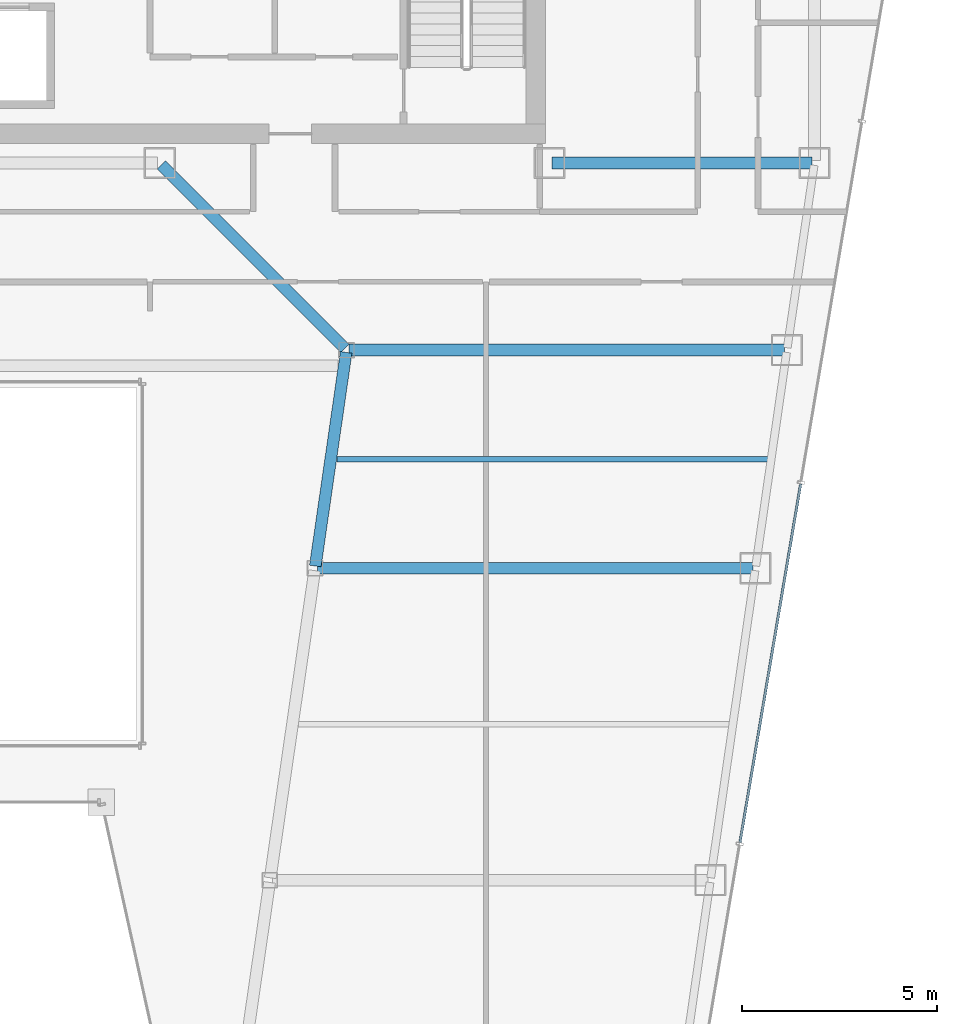
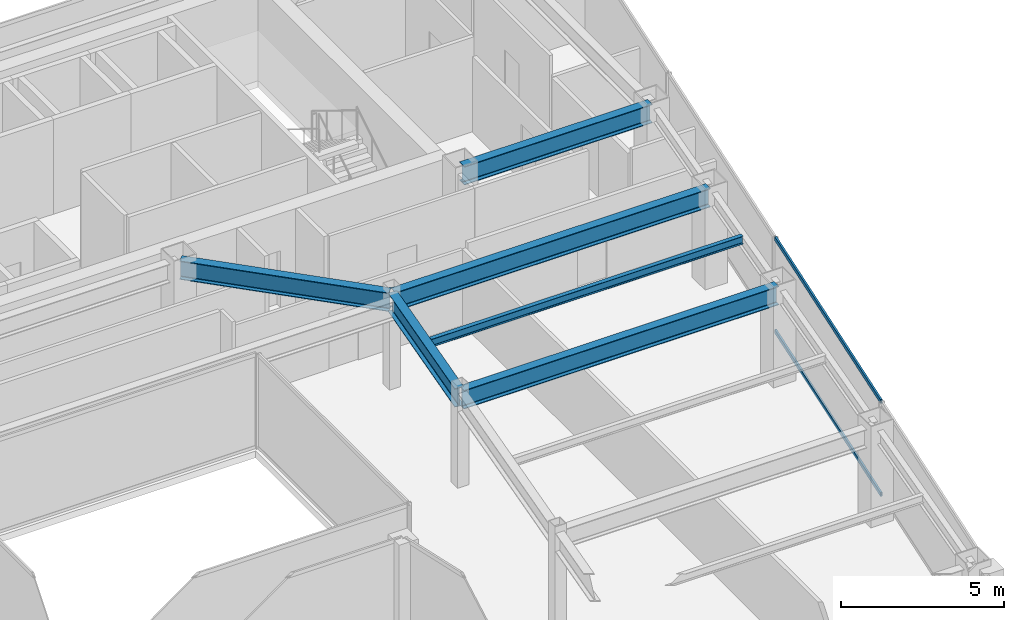
# One storey, part 21 of 35: 6 beams, 2 members, 1 element without a shape of its own.
"""IFC4 building model written with IfcOpenShell, lengths in metres."""

from ifc_helpers import new_model, si_unit, direction, frame, origin, origin_2d, place, context, subcontext, project, spatial, hollow_rectangle, i_section, extrude, material, material_profile, profile_set, type_object, element, aggregate, save


model = new_model("IFC4")

# Units and contexts
model_context = context("Model", 3, precision=1e-05, world=origin(), true_north=direction((0.0, 1.0)))
body_context = subcontext(model_context, "Body", "Model", "MODEL_VIEW")
ifc_project = project(units=[si_unit("LENGTHUNIT", "METRE"), si_unit("AREAUNIT", "SQUARE_METRE"), si_unit("VOLUMEUNIT", "CUBIC_METRE"), si_unit("PLANEANGLEUNIT", "RADIAN"), si_unit("MASSUNIT", "GRAM", prefix="KILO")], contexts=[model_context])

# Site, building, storey
site_placement = place(None, origin())
site = spatial("IfcSite", under=ifc_project, at=site_placement, CompositionType="ELEMENT")
building_placement = place(site_placement, origin())
building = spatial("IfcBuilding", under=site, at=building_placement, Name="Saevonmaru Cultural Tower", CompositionType="ELEMENT")
storey_placement = place(building_placement, frame((0.0, 0.0, 194.199951171875)))
storey = spatial("IfcBuildingStorey", under=building, at=storey_placement, Name="L44", CompositionType="ELEMENT", Elevation=194.199951171875)

# Beams
ifc_material_1 = material(Name="Steel SM355", Category="steel")
ifc_material_profile_1 = material_profile(ifc_material_1, i_section(OverallWidth=0.300048828125, OverallDepth=0.699951171875, WebThickness=0.012939453125, FlangeThickness=0.02392578125, FilletRadius=0.02587890625, at=origin_2d()), Name="H-700x300x13x24")
ifc_profile_set_1 = profile_set([ifc_material_profile_1], Name="Steel SM355")
beam_type_1 = type_object("IfcBeamType", Name="BM-G-H700", PredefinedType="BEAM", material=ifc_profile_set_1)
beam_1_placement = place(storey_placement, frame((46.4599609375, 42.39990234375, 3.199951171875), z_axis=(1.0, 0.0, 0.0), x_axis=(0.0, 1.0, 0.0)))
element("IfcBeam", 1, at=beam_1_placement, inside=storey, type_object=beam_type_1, Name="L44 Core South Girder 5", PredefinedType="BEAM", context=body_context, shape_type="SweptSolid", body=[
    extrude(i_section(OverallWidth=0.300048828125, OverallDepth=0.699951171875, WebThickness=0.012939453125, FlangeThickness=0.02392578125, FilletRadius=0.02587890625, at=origin_2d()), origin(), (0.0, 0.0, 1.0), 6.679931640625),
])
beam_2_placement = place(storey_placement, frame((40.3916015625, 32.059326171875, 3.199951171875), z_axis=(0.142964121327, 0.989727871697, 0.0), x_axis=(-0.989727871697, 0.142964121327, 0.0)))
element("IfcBeam", 2, at=beam_2_placement, inside=storey, type_object=beam_type_1, Name="L44 East Atrium Girder 3", PredefinedType="BEAM", context=body_context, shape_type="SweptSolid", body=[
    extrude(i_section(OverallWidth=0.300048828125, OverallDepth=0.699951171875, WebThickness=0.012939453125, FlangeThickness=0.02392578125, FilletRadius=0.02587890625, at=origin_2d()), origin(), (0.0, 0.0, 1.0), 5.5380859375),
])
beam_3_placement = place(storey_placement, frame((41.149658203125, 37.642578125, 3.199951171875), z_axis=(-0.706538566564, 0.707674539572, 0.0), x_axis=(-0.707674539572, -0.706538566564, 0.0)))
element("IfcBeam", 3, at=beam_3_placement, inside=storey, type_object=beam_type_1, Name="L44 East Atrium Girder 4", PredefinedType="BEAM", context=body_context, shape_type="SweptSolid", body=[
    extrude(i_section(OverallWidth=0.300048828125, OverallDepth=0.699951171875, WebThickness=0.012939453125, FlangeThickness=0.02392578125, FilletRadius=0.02587890625, at=origin_2d()), origin(), (0.0, 0.0, 1.0), 6.662353515625),
])
for number, where, z_axis, x_axis, name in (
    (4, (40.443115234375, 32.0, 3.199951171875), (1.0, 0.0, 0.0), (0.0, 1.0, 0.0), "L44 East Wing Transverse Girder 3"),
    (5, (41.251953125, 37.60009765625, 3.199951171875), (1.0, 0.0, 0.0), (0.0, 1.0, 0.0), "L44 East Wing Transverse Girder 4"),
):
    element("IfcBeam", number, at=place(storey_placement, frame(where, z_axis=z_axis, x_axis=x_axis)), inside=storey, type_object=beam_type_1, Name=name, PredefinedType="BEAM", context=body_context, shape_type="SweptSolid", body=[
        extrude(i_section(OverallWidth=0.300048828125, OverallDepth=0.699951171875, WebThickness=0.012939453125, FlangeThickness=0.02392578125, FilletRadius=0.02587890625, at=origin_2d()), origin(), (0.0, 0.0, 1.0), 11.179931640625),
    ])
ifc_material_profile_2 = material_profile(ifc_material_1, i_section(OverallWidth=0.14990234375, OverallDepth=0.300048828125, WebThickness=0.006591796875, FlangeThickness=0.009033203125, FilletRadius=0.012939453125, at=origin_2d()), Name="H-300x150x6.5x9")
ifc_profile_set_2 = profile_set([ifc_material_profile_2], Name="Steel SM355")
beam_type_2 = type_object("IfcBeamType", Name="BM-J-H300", PredefinedType="JOIST", material=ifc_profile_set_2)
beam_4_placement = place(storey_placement, frame((40.945556640625, 34.800048828125, 3.400146484375), z_axis=(1.0, 0.0, 0.0), x_axis=(0.0, 1.0, 0.0)))
element("IfcBeam", 6, at=beam_4_placement, inside=storey, type_object=beam_type_2, Name="L44 East Wing Floor Joist 3", PredefinedType="JOIST", context=body_context, shape_type="SweptSolid", body=[
    extrude(i_section(OverallWidth=0.14990234375, OverallDepth=0.300048828125, WebThickness=0.006591796875, FlangeThickness=0.009033203125, FilletRadius=0.012939453125, at=origin_2d()), origin(), (0.0, 0.0, 1.0), 11.08203125),
])

# Curtain wall, members
ifc_material_2 = material(Name="Satin Bronze Anodised Aluminium", Category="aluminium")
curtain_wall_type = type_object("IfcCurtainWallType", Name="CW-TYP-B", PredefinedType="NOTDEFINED", material=ifc_material_2)
curtain_wall_placement = place(storey_placement, origin())
curtain_wall = element("IfcCurtainWall", 7, at=curtain_wall_placement, inside=storey, type_object=curtain_wall_type, Name="L44 Unitised Curtain Wall E8", PredefinedType="NOTDEFINED")
ifc_material_profile_3 = material_profile(ifc_material_2, hollow_rectangle(XDim=0.06494140625, YDim=0.14990234375, WallThickness=0.00390625, at=origin_2d()), Name="ALU-TRAN-150x65x4")
ifc_profile_set_3 = profile_set([ifc_material_profile_3], Name="Satin Bronze Anodised Aluminium")
member_type = type_object("IfcMemberType", Name="TR-CW-150x65", PredefinedType="USERDEFINED", material=ifc_profile_set_3)
member_1_placement = place(storey_placement, frame((51.287109375, 24.961669921875, 0.032470703125), z_axis=(0.166921263871, 0.985970228591, 0.0), x_axis=(-0.985970228591, 0.166921263871, 0.0)))
member_1 = element("IfcMember", 8, at=member_1_placement, type_object=member_type, Name="CW-TW-L44-E8 transom 2.1", ObjectType="TRANSOM", PredefinedType="USERDEFINED", context=body_context, shape_type="SweptSolid", body=[
    extrude(hollow_rectangle(XDim=0.06494140625, YDim=0.14990234375, WallThickness=0.00390625, at=origin_2d()), origin(), (0.0, 0.0, 1.0), 9.33740234375),
])
member_2_placement = place(storey_placement, frame((51.287109375, 24.961669921875, 3.517578125), z_axis=(0.166921263871, 0.985970228591, 0.0), x_axis=(-0.985970228591, 0.166921263871, 0.0)))
member_2 = element("IfcMember", 9, at=member_2_placement, type_object=member_type, Name="CW-TW-L44-E8 transom 2.2", ObjectType="TRANSOM", PredefinedType="USERDEFINED", context=body_context, shape_type="SweptSolid", body=[
    extrude(hollow_rectangle(XDim=0.06494140625, YDim=0.14990234375, WallThickness=0.00390625, at=origin_2d()), origin(), (0.0, 0.0, 1.0), 9.33740234375),
])
aggregate(curtain_wall, [member_1, member_2])

save(model, "model.ifc")
